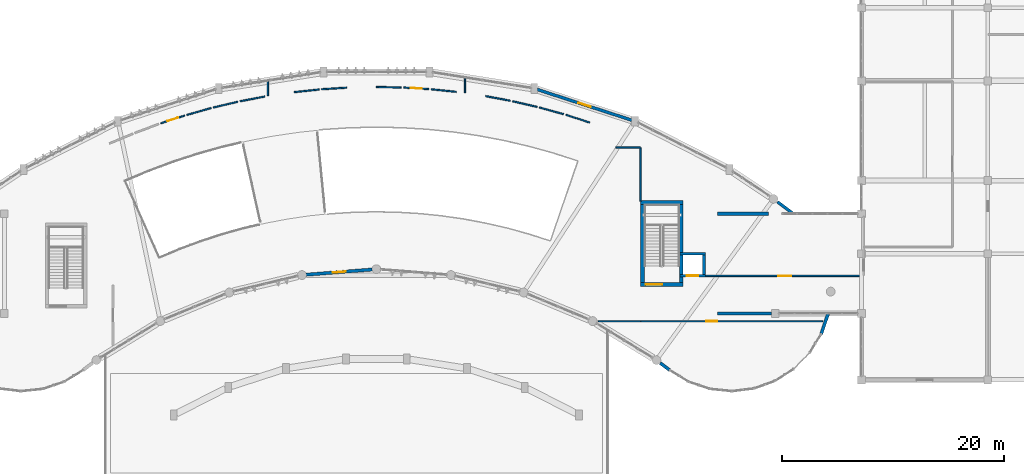
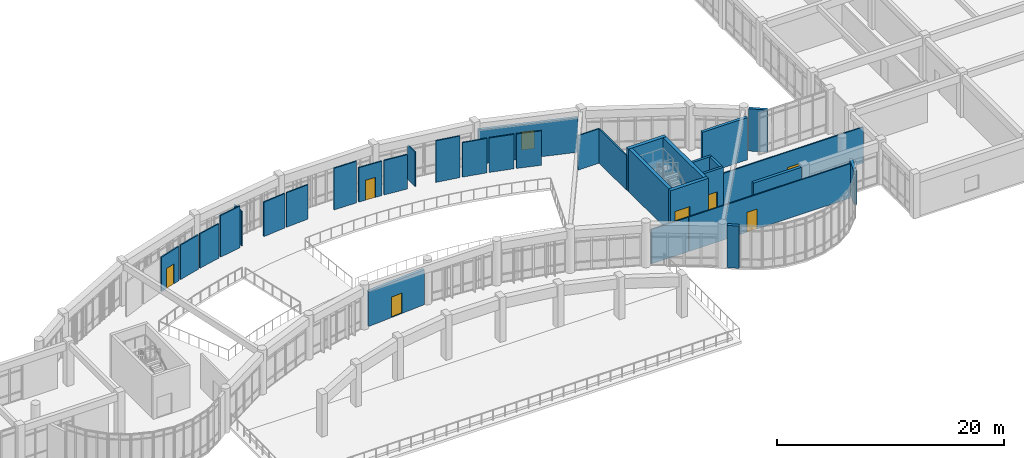
# One storey, part 50 of 65: 34 walls, 7 doors, 1 window, 8 openings.
"""IFC4 building model written with IfcOpenShell, lengths in metres."""

from ifc_helpers import new_model, si_unit, direction, frame, frame_2d, origin, place, context, subcontext, project, spatial, rectangle, extrude, material, layer, layer_set, type_object, element, fill, save


model = new_model("IFC4")

# Units and contexts
model_context = context("Model", 3, precision=1e-05, world=origin(), true_north=direction((0.0, 1.0)))
body_context = subcontext(model_context, "Body", "Model", "MODEL_VIEW")
ifc_project = project(units=[si_unit("LENGTHUNIT", "METRE"), si_unit("AREAUNIT", "SQUARE_METRE"), si_unit("VOLUMEUNIT", "CUBIC_METRE"), si_unit("PLANEANGLEUNIT", "RADIAN"), si_unit("MASSUNIT", "GRAM", prefix="KILO")], contexts=[model_context])

# Site, building, storey
site_placement = place(None, origin())
site = spatial("IfcSite", under=ifc_project, at=site_placement, CompositionType="ELEMENT")
building_placement = place(site_placement, origin())
building = spatial("IfcBuilding", under=site, at=building_placement, Name="Miralva Faculty of Natural Sciences", CompositionType="ELEMENT")
storey_placement = place(building_placement, frame((0.0, 0.0, 10.199951171875)))
storey = spatial("IfcBuildingStorey", under=building, at=storey_placement, Name="L02", CompositionType="ELEMENT", Elevation=10.199951171875)

# Wall, opening, door
ifc_material_1 = material(Name="Concrete C50/60", Category="concrete")
ifc_layer_1 = layer(ifc_material_1, 0.35009765625, Name="WL-CW02")
ifc_layer_set_1 = layer_set([ifc_layer_1], Name="Concrete C50/60")
wall_type_1 = type_object("IfcWallType", Name="WL-CW02", PredefinedType="SHEAR", material=ifc_layer_set_1)
wall_1_placement = place(storey_placement, frame((113.85009765625, 20.625, 0.0), z_axis=(0.0, 0.0, 1.0), x_axis=(1.0, 0.0, 0.0)))
wall_1 = element("IfcWall", 1, at=wall_1_placement, inside=storey, type_object=wall_type_1, Name="Core C3 shear wall south L02", PredefinedType="SHEAR", context=body_context, shape_type="SweptSolid", body=[
    extrude(rectangle(XDim=3.849853515625, YDim=0.35009765625, at=frame_2d((1.9248046875, 0.0))), origin(), (0.0, 0.0, 1.0), 4.580078125),
])
opening_1_placement = place(wall_1_placement, frame((0.449951171875, 0.0, 0.0)))
opening_1 = element("IfcOpeningElement", 2, at=opening_1_placement, cuts=wall_1, Name="Opening D-11", PredefinedType="OPENING", context=body_context, shape_type="SweptSolid", body=[
    extrude(rectangle(XDim=1.5, YDim=2.199951171875, at=frame_2d((0.75, 1.10009765625))), frame((0.0, 0.18505859375, 0.0), z_axis=(0.0, -1.0, 0.0), x_axis=(1.0, 0.0, 0.0)), (0.0, 0.0, 1.0), 0.3701171875),
])
ifc_material_2 = material(Name="Galvanised steel", Category="steel")
door_type_1 = type_object("IfcDoorType", Name="DR-DI11", OperationType="DOUBLE_DOOR_SINGLE_SWING", PredefinedType="DOOR", material=ifc_material_2)
door_1_placement = place(opening_1_placement, frame((1.5, 0.0, 0.0), z_axis=(0.0, 0.0, 1.0), x_axis=(-1.0, 0.0, 0.0)))
door_1 = element("IfcDoor", 3, at=door_1_placement, inside=storey, type_object=door_type_1, Name="Protected exit stair door Core C3 L02", OperationType="DOUBLE_DOOR_SINGLE_SWING", OverallHeight=2.199951171875, OverallWidth=1.5, PredefinedType="DOOR", context=body_context, shape_type="SweptSolid", body=[
    extrude(rectangle(XDim=1.5, YDim=2.199951171875, at=frame_2d((0.75, 1.10009765625))), frame((0.0, 0.02490234375, 0.0), z_axis=(0.0, -1.0, 0.0), x_axis=(1.0, 0.0, 0.0)), (0.0, 0.0, 1.0), 0.050048828125),
])
fill(opening_1, door_1)

# Walls
wall_2_placement = place(storey_placement, frame((113.85009765625, 28.02490234375, 0.0), z_axis=(0.0, 0.0, 1.0), x_axis=(1.0, 0.0, 0.0)))
element("IfcWall", 4, at=wall_2_placement, inside=storey, type_object=wall_type_1, Name="Core C3 shear wall north L02", PredefinedType="SHEAR", context=body_context, shape_type="SweptSolid", body=[
    extrude(rectangle(XDim=3.849853515625, YDim=0.35009765625, at=frame_2d((1.9248046875, 0.0))), origin(), (0.0, 0.0, 1.0), 4.580078125),
])
for number, where, z_axis, x_axis, name in (
    (5, (114.02490234375, 20.800048828125, 0.0), (0.0, 0.0, 1.0), (0.0, 1.0, 0.0), "Core C3 shear wall west L02"),
    (6, (117.52490234375, 20.800048828125, 0.0), (0.0, 0.0, 1.0), (0.0, 1.0, 0.0), "Core C3 shear wall east L02"),
):
    element("IfcWall", number, at=place(storey_placement, frame(where, z_axis=z_axis, x_axis=x_axis)), inside=storey, type_object=wall_type_1, Name=name, PredefinedType="SHEAR", context=body_context, shape_type="SweptSolid", body=[
        extrude(rectangle(XDim=7.050048828125, YDim=0.35009765625, at=frame_2d((3.52490234375, 0.0))), origin(), (0.0, 0.0, 1.0), 4.580078125),
    ])

# Wall, opening, door
ifc_material_3 = material(Name="Concrete C40/50", Category="concrete")
ifc_layer_2 = layer(ifc_material_3, 0.25, Name="WL-CW04")
ifc_layer_set_2 = layer_set([ifc_layer_2], Name="Concrete C40/50")
wall_type_2 = type_object("IfcWallType", Name="WL-CW04", PredefinedType="SHEAR", material=ifc_layer_set_2)
wall_3_placement = place(storey_placement, frame((117.405029296875, 21.405029296875, 0.0), z_axis=(0.0, 0.0, 1.0), x_axis=(1.0, 0.0, 0.0)))
wall_3 = element("IfcWall", 7, at=wall_3_placement, inside=storey, type_object=wall_type_2, Name="Lift L-05 hoistway front wall L02", PredefinedType="SHEAR", context=body_context, shape_type="SweptSolid", body=[
    extrude(rectangle(XDim=2.2900390625, YDim=0.25, at=frame_2d((1.14501953125, 0.0))), origin(), (0.0, 0.0, 1.0), 4.56005859375),
])
opening_2_placement = place(wall_3_placement, frame((0.6201171875, 0.0, 0.0)))
opening_2 = element("IfcOpeningElement", 8, at=opening_2_placement, cuts=wall_3, Name="Opening LD-03", PredefinedType="OPENING", context=body_context, shape_type="SweptSolid", body=[
    extrude(rectangle(XDim=1.050048828125, YDim=2.14990234375, at=frame_2d((0.52490234375, 1.074951171875))), frame((0.0, 0.135009765625, 0.0), z_axis=(0.0, -1.0, 0.0), x_axis=(1.0, 0.0, 0.0)), (0.0, 0.0, 1.0), 0.27001953125),
])
door_type_2 = type_object("IfcDoorType", Name="DR-LD03", OperationType="SLIDING_TO_RIGHT", PredefinedType="DOOR", material=ifc_material_2)
door_2_placement = place(opening_2_placement, frame((1.050048828125, 0.0, 0.0), z_axis=(0.0, 0.0, 1.0), x_axis=(-1.0, 0.0, 0.0)))
door_2 = element("IfcDoor", 9, at=door_2_placement, inside=storey, type_object=door_type_2, Name="Lift L-05 sliding landing door L02", OperationType="SLIDING_TO_RIGHT", OverallHeight=2.14990234375, OverallWidth=1.050048828125, PredefinedType="DOOR", context=body_context, shape_type="SweptSolid", body=[
    extrude(rectangle(XDim=1.050048828125, YDim=2.14990234375, at=frame_2d((0.52490234375, 1.074951171875))), frame((0.0, 0.02490234375, 0.0), z_axis=(0.0, -1.0, 0.0), x_axis=(1.0, 0.0, 0.0)), (0.0, 0.0, 1.0), 0.050048828125),
])
fill(opening_2, door_2)

# Walls
wall_4_placement = place(storey_placement, frame((117.405029296875, 23.39501953125, 0.0), z_axis=(0.0, 0.0, 1.0), x_axis=(1.0, 0.0, 0.0)))
element("IfcWall", 10, at=wall_4_placement, inside=storey, type_object=wall_type_2, Name="Lift L-05 hoistway rear wall L02", PredefinedType="SHEAR", context=body_context, shape_type="SweptSolid", body=[
    extrude(rectangle(XDim=2.2900390625, YDim=0.25, at=frame_2d((1.14501953125, 0.0))), origin(), (0.0, 0.0, 1.0), 4.56005859375),
])
wall_5_placement = place(storey_placement, frame((119.570068359375, 21.530029296875, 0.0), z_axis=(0.0, 0.0, 1.0), x_axis=(0.0, 1.0, 0.0)))
element("IfcWall", 11, at=wall_5_placement, inside=storey, type_object=wall_type_2, Name="Lift L-05 hoistway E wall L02", PredefinedType="SHEAR", context=body_context, shape_type="SweptSolid", body=[
    extrude(rectangle(XDim=1.739990234375, YDim=0.25, at=frame_2d((0.8701171875, 0.0))), origin(), (0.0, 0.0, 1.0), 4.56005859375),
])

# Wall, opening, door
ifc_material_4 = material(Name="Gypsum plasterboard")
ifc_layer_3 = layer(ifc_material_4, 0.125, Name="WL-PT05")
ifc_layer_set_3 = layer_set([ifc_layer_3], Name="Gypsum plasterboard")
wall_type_3 = type_object("IfcWallType", Name="WL-PT05", PredefinedType="PARTITIONING", material=ifc_layer_set_3)
wall_6_placement = place(storey_placement, frame((70.52783203125, 35.169189453125, 0.0), z_axis=(0.0, 0.0, 1.0), x_axis=(0.950910506912, 0.309466004345, 0.0)))
wall_6 = element("IfcWall", 12, at=wall_6_placement, inside=storey, type_object=wall_type_3, Name="Interior partition PT-05 L02-265", PredefinedType="PARTITIONING", context=body_context, shape_type="SweptSolid", body=[
    extrude(rectangle(XDim=2.2666015625, YDim=0.125, at=frame_2d((1.13330078125, 0.0))), origin(), (0.0, 0.0, 1.0), 3.705078125),
])
opening_3_placement = place(wall_6_placement, frame((0.63330078125, 0.0, 0.0)))
opening_3 = element("IfcOpeningElement", 13, at=opening_3_placement, cuts=wall_6, Name="Opening D-25", PredefinedType="OPENING", context=body_context, shape_type="SweptSolid", body=[
    extrude(rectangle(XDim=1.0, YDim=2.14990234375, at=frame_2d((0.5, 1.074951171875))), frame((0.0, 0.072509765625, 0.0), z_axis=(0.0, -1.0, 0.0), x_axis=(1.0, 0.0, 0.0)), (0.0, 0.0, 1.0), 0.14501953125),
])
ifc_material_5 = material(Name="Anodised aluminium", Category="aluminium")
door_type_3 = type_object("IfcDoorType", Name="DR-DI25", OperationType="NOTDEFINED", PredefinedType="DOOR", material=ifc_material_5)
door_3_placement = place(opening_3_placement, origin())
door_3 = element("IfcDoor", 14, at=door_3_placement, inside=storey, type_object=door_type_3, Name="Interior door D-25 L02-100", OperationType="SINGLE_SWING_LEFT", OverallHeight=2.14990234375, OverallWidth=1.0, PredefinedType="DOOR", context=body_context, shape_type="SweptSolid", body=[
    extrude(rectangle(XDim=1.0, YDim=2.14990234375, at=frame_2d((0.5, 1.074951171875))), frame((0.0, 0.02490234375, 0.0), z_axis=(0.0, -1.0, 0.0), x_axis=(1.0, 0.0, 0.0)), (0.0, 0.0, 1.0), 0.050048828125),
])
fill(opening_3, door_3)

# Walls
for number, where, z_axis, x_axis, name in (
    (15, (72.8857421875, 35.931884765625, 0.0), (0.0, 0.0, 1.0), (0.962961782051, 0.269637917046, 0.0), "Interior partition PT-05 L02-266"),
    (16, (75.273681640625, 36.595947265625, 0.0), (0.0, 0.0, 1.0), (0.973395972519, 0.22912939725, 0.0), "Interior partition PT-05 L02-267"),
):
    element("IfcWall", number, at=place(storey_placement, frame(where, z_axis=z_axis, x_axis=x_axis)), inside=storey, type_object=wall_type_3, Name=name, PredefinedType="PARTITIONING", context=body_context, shape_type="SweptSolid", body=[
        extrude(rectangle(XDim=2.266357421875, YDim=0.125, at=frame_2d((1.13330078125, 0.0))), origin(), (0.0, 0.0, 1.0), 3.705078125),
    ])
wall_7_placement = place(storey_placement, frame((77.6875, 37.15966796875, 0.0), z_axis=(0.0, 0.0, 1.0), x_axis=(0.982087808033, 0.188423823634, 0.0)))
element("IfcWall", 17, at=wall_7_placement, inside=storey, type_object=wall_type_3, Name="Interior partition PT-05 L02-268", PredefinedType="PARTITIONING", context=body_context, shape_type="SweptSolid", body=[
    extrude(rectangle(XDim=2.26611328125, YDim=0.125, at=frame_2d((1.133056640625, 0.0))), origin(), (0.0, 0.0, 1.0), 4.47998046875),
])
wall_8_placement = place(storey_placement, frame((82.57421875, 37.983154296875, 0.0), z_axis=(0.0, 0.0, 1.0), x_axis=(0.994366469197, 0.105996815696, 0.0)))
element("IfcWall", 18, at=wall_8_placement, inside=storey, type_object=wall_type_3, Name="Interior partition PT-05 L02-269", PredefinedType="PARTITIONING", context=body_context, shape_type="SweptSolid", body=[
    extrude(rectangle(XDim=2.266357421875, YDim=0.125, at=frame_2d((1.13330078125, 0.0))), origin(), (0.0, 0.0, 1.0), 3.705078125),
])
wall_9_placement = place(storey_placement, frame((85.039306640625, 38.2412109375, 0.0), z_axis=(0.0, 0.0, 1.0), x_axis=(0.997915696942, 0.064531091706, 0.0)))
element("IfcWall", 19, at=wall_9_placement, inside=storey, type_object=wall_type_3, Name="Interior partition PT-05 L02-270", PredefinedType="PARTITIONING", context=body_context, shape_type="SweptSolid", body=[
    extrude(rectangle(XDim=2.26611328125, YDim=0.125, at=frame_2d((1.133056640625, 0.0))), origin(), (0.0, 0.0, 1.0), 3.705078125),
])
wall_10_placement = place(storey_placement, frame((89.99072265625, 38.448486328125, 0.0), z_axis=(0.0, 0.0, 1.0), x_axis=(0.999822278173, -0.018852375679, 0.0)))
element("IfcWall", 20, at=wall_10_placement, inside=storey, type_object=wall_type_3, Name="Interior partition PT-05 L02-271", PredefinedType="PARTITIONING", context=body_context, shape_type="SweptSolid", body=[
    extrude(rectangle(XDim=2.266357421875, YDim=0.125, at=frame_2d((1.13330078125, 0.0))), origin(), (0.0, 0.0, 1.0), 4.47998046875),
])

# Wall, opening, door
wall_11_placement = place(storey_placement, frame((92.46875, 38.3974609375, 0.0), z_axis=(0.0, 0.0, 1.0), x_axis=(0.998159220571, -0.060647921561, 0.0)))
wall_11 = element("IfcWall", 21, at=wall_11_placement, inside=storey, type_object=wall_type_3, Name="Interior partition PT-05 L02-272", PredefinedType="PARTITIONING", context=body_context, shape_type="SweptSolid", body=[
    extrude(rectangle(XDim=2.266357421875, YDim=0.125, at=frame_2d((1.13330078125, 0.0))), origin(), (0.0, 0.0, 1.0), 3.705078125),
])
opening_4_placement = place(wall_11_placement, frame((0.63330078125, 0.0, 0.0)))
opening_4 = element("IfcOpeningElement", 22, at=opening_4_placement, cuts=wall_11, Name="Opening D-25", PredefinedType="OPENING", context=body_context, shape_type="SweptSolid", body=[
    extrude(rectangle(XDim=1.0, YDim=2.14990234375, at=frame_2d((0.5, 1.074951171875))), frame((0.0, 0.072509765625, 0.0), z_axis=(0.0, -1.0, 0.0), x_axis=(1.0, 0.0, 0.0)), (0.0, 0.0, 1.0), 0.14501953125),
])
door_4_placement = place(opening_4_placement, origin())
door_4 = element("IfcDoor", 23, at=door_4_placement, inside=storey, type_object=door_type_3, Name="Interior door D-25 L02-102", OperationType="SINGLE_SWING_LEFT", OverallHeight=2.14990234375, OverallWidth=1.0, PredefinedType="DOOR", context=body_context, shape_type="SweptSolid", body=[
    extrude(rectangle(XDim=1.0, YDim=2.14990234375, at=frame_2d((0.5, 1.074951171875))), frame((0.0, 0.02490234375, 0.0), z_axis=(0.0, -1.0, 0.0), x_axis=(1.0, 0.0, 0.0)), (0.0, 0.0, 1.0), 0.050048828125),
])
fill(opening_4, door_4)

# Walls
wall_12_placement = place(storey_placement, frame((94.942138671875, 38.242919921875, 0.0), z_axis=(0.0, 0.0, 1.0), x_axis=(0.994772464136, -0.102116328749, 0.0)))
element("IfcWall", 24, at=wall_12_placement, inside=storey, type_object=wall_type_3, Name="Interior partition PT-05 L02-273", PredefinedType="PARTITIONING", context=body_context, shape_type="SweptSolid", body=[
    extrude(rectangle(XDim=2.2666015625, YDim=0.125, at=frame_2d((1.13330078125, 0.0))), origin(), (0.0, 0.0, 1.0), 3.705078125),
])
wall_13_placement = place(storey_placement, frame((99.859619140625, 37.62548828125, 0.0), z_axis=(0.0, 0.0, 1.0), x_axis=(0.982805045735, -0.184646262018, 0.0)))
element("IfcWall", 25, at=wall_13_placement, inside=storey, type_object=wall_type_3, Name="Interior partition PT-05 L02-274", PredefinedType="PARTITIONING", context=body_context, shape_type="SweptSolid", body=[
    extrude(rectangle(XDim=2.266357421875, YDim=0.125, at=frame_2d((1.13330078125, 0.0))), origin(), (0.0, 0.0, 1.0), 4.47998046875),
])
wall_14_placement = place(storey_placement, frame((102.294921875, 37.163330078125, 0.0), z_axis=(0.0, 0.0, 1.0), x_axis=(0.974269394544, -0.225386660775, 0.0)))
element("IfcWall", 26, at=wall_14_placement, inside=storey, type_object=wall_type_3, Name="Interior partition PT-05 L02-275", PredefinedType="PARTITIONING", context=body_context, shape_type="SweptSolid", body=[
    extrude(rectangle(XDim=2.26611328125, YDim=0.125, at=frame_2d((1.133056640625, 0.0))), origin(), (0.0, 0.0, 1.0), 3.705078125),
])
for number, where, z_axis, x_axis, name in (
    (27, (104.708251953125, 36.600341796875, 0.0), (0.0, 0.0, 1.0), (0.96403926476, -0.265759846481, 0.0), "Interior partition PT-05 L02-276"),
    (28, (107.0966796875, 35.937255859375, 0.0), (0.0, 0.0, 1.0), (0.952084587877, -0.305834820659, 0.0), "Interior partition PT-05 L02-277"),
):
    element("IfcWall", number, at=place(storey_placement, frame(where, z_axis=z_axis, x_axis=x_axis)), inside=storey, type_object=wall_type_3, Name=name, PredefinedType="PARTITIONING", context=body_context, shape_type="SweptSolid", body=[
        extrude(rectangle(XDim=2.266357421875, YDim=0.125, at=frame_2d((1.13330078125, 0.0))), origin(), (0.0, 0.0, 1.0), 3.705078125),
    ])
wall_15_placement = place(storey_placement, frame((111.626708984375, 33.0, 0.0), z_axis=(0.0, 0.0, 1.0), x_axis=(1.0, 0.0, 0.0)))
element("IfcWall", 29, at=wall_15_placement, inside=storey, type_object=wall_type_3, Name="Interior partition PT-05 L02-278", PredefinedType="PARTITIONING", context=body_context, shape_type="SweptSolid", body=[
    extrude(rectangle(XDim=2.193359375, YDim=0.125, at=frame_2d((1.0966796875, 0.0))), origin(), (0.0, 0.0, 1.0), 3.705078125),
])
wall_16_placement = place(storey_placement, frame((113.85009765625, 28.151611328125, 0.0), z_axis=(0.0, 0.0, 1.0), x_axis=(0.0, 1.0, 0.0)))
element("IfcWall", 30, at=wall_16_placement, inside=storey, type_object=wall_type_3, Name="Interior partition PT-05 L02-279", PredefinedType="PARTITIONING", context=body_context, shape_type="SweptSolid", body=[
    extrude(rectangle(XDim=4.818359375, YDim=0.125, at=frame_2d((2.4091796875, 0.0))), origin(), (0.0, 0.0, 1.0), 3.705078125),
])

# Wall, opening, door
wall_17_placement = place(storey_placement, frame((119.72998046875, 21.39990234375, 0.0), z_axis=(0.0, 0.0, 1.0), x_axis=(1.0, 0.0, 0.0)))
wall_17 = element("IfcWall", 31, at=wall_17_placement, inside=storey, type_object=wall_type_3, Name="Interior partition PT-05 L02-280", PredefinedType="PARTITIONING", context=body_context, shape_type="SweptSolid", body=[
    extrude(rectangle(XDim=14.239990234375, YDim=0.125, at=frame_2d((7.1201171875, 0.0))), origin(), (0.0, 0.0, 1.0), 3.864990234375),
])
opening_5_placement = place(wall_17_placement, frame((6.530029296875, 0.0, 0.0)))
opening_5 = element("IfcOpeningElement", 32, at=opening_5_placement, cuts=wall_17, Name="Opening D-34", PredefinedType="OPENING", context=body_context, shape_type="SweptSolid", body=[
    extrude(rectangle(XDim=1.179931640625, YDim=2.199951171875, at=frame_2d((0.58984375, 1.10009765625))), frame((0.0, 0.072509765625, 0.0), z_axis=(0.0, -1.0, 0.0), x_axis=(1.0, 0.0, 0.0)), (0.0, 0.0, 1.0), 0.14501953125),
])
door_type_4 = type_object("IfcDoorType", Name="DR-DI34", OperationType="NOTDEFINED", PredefinedType="DOOR", material=ifc_material_5)
door_5_placement = place(opening_5_placement, origin())
door_5 = element("IfcDoor", 33, at=door_5_placement, inside=storey, type_object=door_type_4, Name="Interior door D-34 L02-103", OperationType="SINGLE_SWING_RIGHT", OverallHeight=2.199951171875, OverallWidth=1.179931640625, PredefinedType="DOOR", context=body_context, shape_type="SweptSolid", body=[
    extrude(rectangle(XDim=1.179931640625, YDim=2.199951171875, at=frame_2d((0.58984375, 1.10009765625))), frame((0.0, 0.02490234375, 0.0), z_axis=(0.0, -1.0, 0.0), x_axis=(1.0, 0.0, 0.0)), (0.0, 0.0, 1.0), 0.050048828125),
])
fill(opening_5, door_5)

wall_18_placement = place(storey_placement, frame((113.8798828125, 17.300048828125, 0.0), z_axis=(0.0, 0.0, 1.0), x_axis=(1.0, 0.0, 0.0)))
wall_18 = element("IfcWall", 34, at=wall_18_placement, inside=storey, type_object=wall_type_3, Name="Interior partition PT-05 L02-281", PredefinedType="PARTITIONING", context=body_context, shape_type="SweptSolid", body=[
    extrude(rectangle(XDim=16.408203125, YDim=0.125, at=frame_2d((8.2041015625, 0.0))), origin(), (0.0, 0.0, 1.0), 3.705078125),
])
opening_6_placement = place(wall_18_placement, frame((5.904052734375, 0.0, 0.0)))
opening_6 = element("IfcOpeningElement", 35, at=opening_6_placement, cuts=wall_18, Name="Opening D-25", PredefinedType="OPENING", context=body_context, shape_type="SweptSolid", body=[
    extrude(rectangle(XDim=1.0, YDim=2.14990234375, at=frame_2d((0.5, 1.074951171875))), frame((0.0, 0.072509765625, 0.0), z_axis=(0.0, -1.0, 0.0), x_axis=(1.0, 0.0, 0.0)), (0.0, 0.0, 1.0), 0.14501953125),
])
door_6_placement = place(opening_6_placement, origin())
door_6 = element("IfcDoor", 36, at=door_6_placement, inside=storey, type_object=door_type_3, Name="Interior door D-25 L02-105", OperationType="SINGLE_SWING_RIGHT", OverallHeight=2.14990234375, OverallWidth=1.0, PredefinedType="DOOR", context=body_context, shape_type="SweptSolid", body=[
    extrude(rectangle(XDim=1.0, YDim=2.14990234375, at=frame_2d((0.5, 1.074951171875))), frame((0.0, 0.02490234375, 0.0), z_axis=(0.0, -1.0, 0.0), x_axis=(1.0, 0.0, 0.0)), (0.0, 0.0, 1.0), 0.050048828125),
])
fill(opening_6, door_6)

# Walls
wall_19_placement = place(storey_placement, frame((110.041015625, 17.300048828125, 0.0), z_axis=(0.0, 0.0, 1.0), x_axis=(1.0, 0.0, 0.0)))
element("IfcWall", 37, at=wall_19_placement, inside=storey, type_object=wall_type_3, Name="Interior partition PT-05 L02-282", PredefinedType="PARTITIONING", context=body_context, shape_type="SweptSolid", body=[
    extrude(rectangle(XDim=3.779052734375, YDim=0.125, at=frame_2d((1.8896484375, 0.0))), origin(), (0.0, 0.0, 1.0), 3.705078125),
])
wall_20_placement = place(storey_placement, frame((80.199951171875, 37.663818359375, 0.0), z_axis=(0.0, 0.0, 1.0), x_axis=(0.0, 1.0, 0.0)))
element("IfcWall", 38, at=wall_20_placement, inside=storey, type_object=wall_type_3, Name="Interior partition PT-05 L02-284", PredefinedType="PARTITIONING", context=body_context, shape_type="SweptSolid", body=[
    extrude(rectangle(XDim=1.284912109375, YDim=0.125, at=frame_2d((0.642578125, 0.0))), origin(), (0.0, 0.0, 1.0), 3.705078125),
])
wall_21_placement = place(storey_placement, frame((98.0, 37.929443359375, 0.0), z_axis=(0.0, 0.0, 1.0), x_axis=(0.0, 1.0, 0.0)))
element("IfcWall", 39, at=wall_21_placement, inside=storey, type_object=wall_type_3, Name="Interior partition PT-05 L02-285", PredefinedType="PARTITIONING", context=body_context, shape_type="SweptSolid", body=[
    extrude(rectangle(XDim=1.28076171875, YDim=0.125, at=frame_2d((0.640380859375, 0.0))), origin(), (0.0, 0.0, 1.0), 3.705078125),
])

# Wall, opening, door
ifc_material_6 = material(Name="Precast concrete C40/50", Category="concrete")
ifc_layer_4 = layer(ifc_material_6, 0.2900390625, Name="WL-WT03")
ifc_layer_set_4 = layer_set([ifc_layer_4], Name="Precast concrete C40/50")
wall_type_4 = type_object("IfcWallType", Name="WL-WT03", PredefinedType="SOLIDWALL", material=ifc_layer_set_4)
wall_22_placement = place(storey_placement, frame((83.656982421875, 21.500732421875, 0.0), z_axis=(0.0, 0.0, 1.0), x_axis=(0.996917429448, 0.078457879551, 0.0)))
wall_22 = element("IfcWall", 40, at=wall_22_placement, inside=storey, type_object=wall_type_4, Name="Exterior wall L02-32", PredefinedType="SOLIDWALL", context=body_context, shape_type="SweptSolid", body=[
    extrude(rectangle(XDim=5.9775390625, YDim=0.2900390625, at=frame_2d((2.98876953125, 0.0))), origin(), (0.0, 0.0, 1.0), 3.755126953125),
])
opening_7_placement = place(wall_22_placement, frame((2.413818359375, 0.0, 0.0)))
opening_7 = element("IfcOpeningElement", 41, at=opening_7_placement, cuts=wall_22, Name="Opening D-05", PredefinedType="OPENING", context=body_context, shape_type="SweptSolid", body=[
    extrude(rectangle(XDim=1.14990234375, YDim=2.199951171875, at=frame_2d((0.574951171875, 1.10009765625))), frame((0.0, 0.155029296875, 0.0), z_axis=(0.0, -1.0, 0.0), x_axis=(1.0, 0.0, 0.0)), (0.0, 0.0, 1.0), 0.31005859375),
])
door_type_5 = type_object("IfcDoorType", Name="DR-DE05", OperationType="NOTDEFINED", PredefinedType="DOOR", material=ifc_material_5)
door_7_placement = place(opening_7_placement, frame((1.14990234375, 0.0, 0.0), z_axis=(0.0, 0.0, 1.0), x_axis=(-1.0, 0.0, 0.0)))
door_7 = element("IfcDoor", 42, at=door_7_placement, inside=storey, type_object=door_type_5, Name="Exterior pedestrian exit door D-05 L02-4", OperationType="SINGLE_SWING_LEFT", OverallHeight=2.199951171875, OverallWidth=1.14990234375, PredefinedType="DOOR", context=body_context, shape_type="SweptSolid", body=[
    extrude(rectangle(XDim=1.14990234375, YDim=2.199951171875, at=frame_2d((0.574951171875, 1.10009765625))), frame((0.0, 0.02490234375, 0.0), z_axis=(0.0, -1.0, 0.0), x_axis=(1.0, 0.0, 0.0)), (0.0, 0.0, 1.0), 0.050048828125),
])
fill(opening_7, door_7)

# Walls
wall_23_placement = place(storey_placement, frame((115.6142578125, 13.531982421875, 0.0), z_axis=(0.0, 0.0, 1.0), x_axis=(0.798608971494, -0.601850239387, 0.0)))
element("IfcWall", 43, at=wall_23_placement, inside=storey, type_object=wall_type_4, Name="Exterior wall L02-33", PredefinedType="SOLIDWALL", context=body_context, shape_type="SweptSolid", body=[
    extrude(rectangle(XDim=1.07568359375, YDim=0.2900390625, at=frame_2d((0.537841796875, 0.0))), origin(), (0.0, 0.0, 1.0), 4.550048828125),
])
wall_24_placement = place(storey_placement, frame((130.16162109375, 16.152587890625, 0.0), z_axis=(0.0, 0.0, 1.0), x_axis=(0.320875386213, 0.947121421214, 0.0)))
element("IfcWall", 44, at=wall_24_placement, inside=storey, type_object=wall_type_4, Name="Exterior wall L02-38", PredefinedType="SOLIDWALL", context=body_context, shape_type="SweptSolid", body=[
    extrude(rectangle(XDim=2.015625, YDim=0.2900390625, at=frame_2d((1.0078125, 0.0))), origin(), (0.0, 0.0, 1.0), 3.574951171875),
])
wall_25_placement = place(storey_placement, frame((120.800048828125, 18.0, 0.0), z_axis=(0.0, 0.0, 1.0), x_axis=(1.0, 0.0, 0.0)))
element("IfcWall", 45, at=wall_25_placement, inside=storey, type_object=wall_type_4, Name="Exterior wall L02-360", PredefinedType="SOLIDWALL", context=body_context, shape_type="SweptSolid", body=[
    extrude(rectangle(XDim=4.864990234375, YDim=0.2900390625, at=frame_2d((2.4326171875, 0.0))), origin(), (0.0, 0.0, 1.0), 4.550048828125),
])
wall_26_placement = place(storey_placement, frame((120.800048828125, 27.0, 0.0), z_axis=(0.0, 0.0, 1.0), x_axis=(1.0, 0.0, 0.0)))
element("IfcWall", 46, at=wall_26_placement, inside=storey, type_object=wall_type_4, Name="Exterior wall L02-362", PredefinedType="SOLIDWALL", context=body_context, shape_type="SweptSolid", body=[
    extrude(rectangle(XDim=4.579833984375, YDim=0.2900390625, at=frame_2d((2.2900390625, 0.0))), origin(), (0.0, 0.0, 1.0), 4.550048828125),
])

# Wall, opening, window
ifc_material_7 = material(Name="Volcanic tuff architectural stone", Category="masonry")
ifc_layer_5 = layer(ifc_material_7, 0.27001953125, Name="WL-WT04")
ifc_layer_set_5 = layer_set([ifc_layer_5], Name="Volcanic tuff architectural stone")
wall_type_5 = type_object("IfcWallType", Name="WL-WT04", PredefinedType="SOLIDWALL", material=ifc_layer_set_5)
wall_27_placement = place(storey_placement, frame((104.520751953125, 38.223388671875, 0.0), z_axis=(0.0, 0.0, 1.0), x_axis=(0.951056038367, -0.309018465281, 0.0)))
wall_27 = element("IfcWall", 47, at=wall_27_placement, inside=storey, type_object=wall_type_5, Name="Exterior wall L02-35", PredefinedType="SOLIDWALL", context=body_context, shape_type="SweptSolid", body=[
    extrude(rectangle(XDim=8.982177734375, YDim=0.27001953125, at=frame_2d((4.4912109375, 0.0))), origin(), (0.0, 0.0, 1.0), 3.705078125),
])
opening_8_placement = place(wall_27_placement, frame((3.89111328125, 0.0, 0.89990234375)))
opening_8 = element("IfcOpeningElement", 48, at=opening_8_placement, cuts=wall_27, Name="Opening W-03", PredefinedType="OPENING", context=body_context, shape_type="SweptSolid", body=[
    extrude(rectangle(XDim=1.199951171875, YDim=1.949951171875, at=frame_2d((0.60009765625, 0.97509765625))), frame((0.0, 0.14501953125, 0.0), z_axis=(0.0, -1.0, 0.0), x_axis=(1.0, 0.0, 0.0)), (0.0, 0.0, 1.0), 0.2900390625),
])
ifc_material_8 = material(Name="Laminated solar-control glass", Category="glass")
window_type = type_object("IfcWindowType", Name="WN-W03", PartitioningType="DOUBLE_PANEL_HORIZONTAL", PredefinedType="WINDOW", material=ifc_material_8)
window_placement = place(opening_8_placement, origin())
window = element("IfcWindow", 49, at=window_placement, inside=storey, type_object=window_type, Name="Window W-03 L02-3", OverallHeight=1.949951171875, OverallWidth=1.199951171875, PartitioningType="DOUBLE_PANEL_HORIZONTAL", PredefinedType="WINDOW", context=body_context, shape_type="SweptSolid", body=[
    extrude(rectangle(XDim=1.199951171875, YDim=1.949951171875, at=frame_2d((0.60009765625, 0.97509765625))), frame((0.0, 0.030029296875, 0.0), z_axis=(0.0, -1.0, 0.0), x_axis=(1.0, 0.0, 0.0)), (0.0, 0.0, 1.0), 0.06005859375),
])
fill(opening_8, window)

# Wall
wall_28_placement = place(storey_placement, frame((126.210205078125, 28.082275390625, 0.0), z_axis=(0.0, 0.0, 1.0), x_axis=(0.798641279354, -0.601807366947, 0.0)))
element("IfcWall", 50, at=wall_28_placement, inside=storey, type_object=wall_type_5, Name="Exterior wall L02-36", PredefinedType="SOLIDWALL", context=body_context, shape_type="SweptSolid", body=[
    extrude(rectangle(XDim=1.684326171875, YDim=0.27001953125, at=frame_2d((0.84228515625, 0.0))), origin(), (0.0, 0.0, 1.0), 4.550048828125),
])

save(model, "model.ifc")
